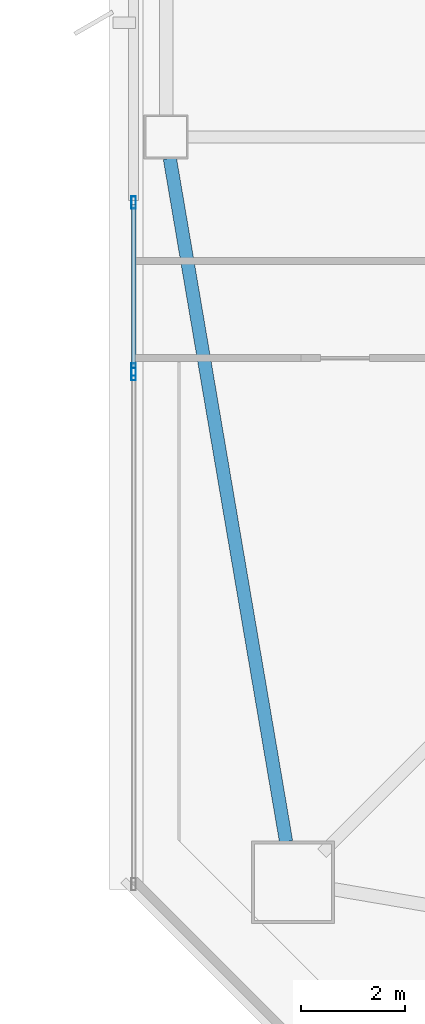
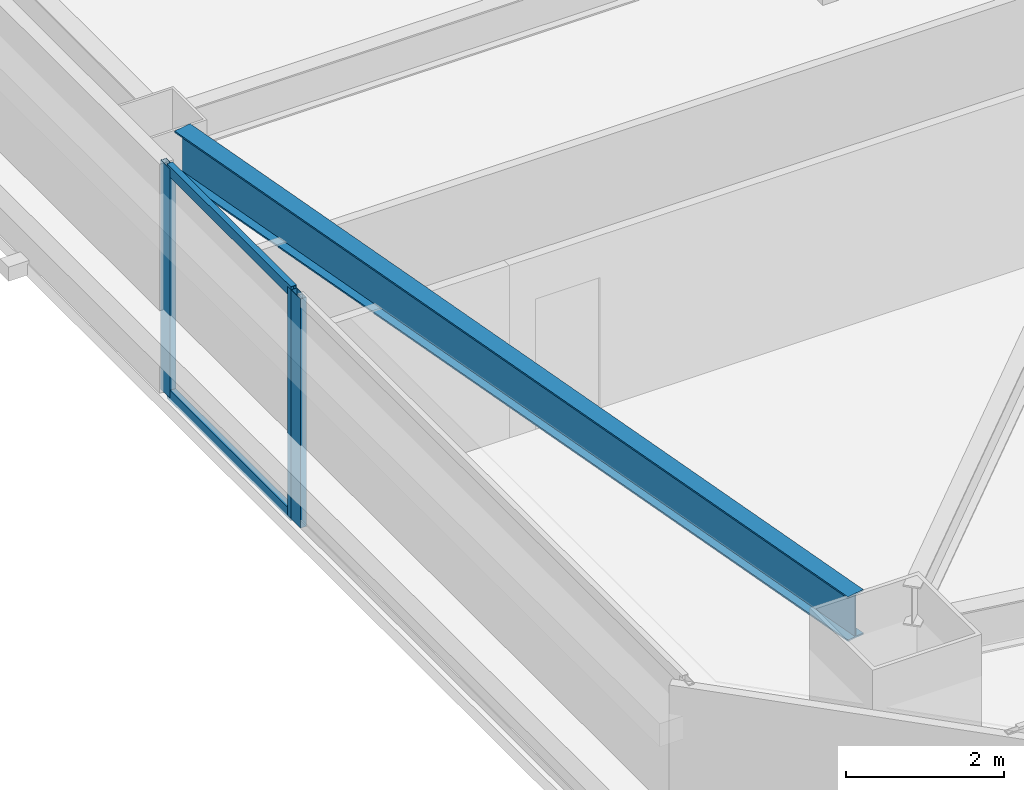
# One storey, part 5 of 62: 5 members, 1 beam, 2 elements without a shape of their own.
"""IFC4 building model written with IfcOpenShell, lengths in metres."""

from ifc_helpers import new_model, si_unit, direction, frame, origin, origin_2d, place, context, subcontext, project, spatial, hollow_rectangle, i_section, extrude, material, material_profile, profile_set, type_object, element, aggregate, save


model = new_model("IFC4")

# Units and contexts
model_context = context("Model", 3, precision=1e-05, world=origin(), true_north=direction((0.0, 1.0)))
body_context = subcontext(model_context, "Body", "Model", "MODEL_VIEW")
ifc_project = project(units=[si_unit("LENGTHUNIT", "METRE"), si_unit("AREAUNIT", "SQUARE_METRE"), si_unit("VOLUMEUNIT", "CUBIC_METRE"), si_unit("PLANEANGLEUNIT", "RADIAN"), si_unit("MASSUNIT", "GRAM", prefix="KILO")], contexts=[model_context])

# Site, building, storey
site_placement = place(None, origin())
site = spatial("IfcSite", under=ifc_project, at=site_placement, CompositionType="ELEMENT")
building_placement = place(site_placement, origin())
building = spatial("IfcBuilding", under=site, at=building_placement, Name="Tashvorn Skyway Center", CompositionType="ELEMENT")
storey_placement = place(building_placement, frame((0.0, 0.0, 28.14990234375)))
storey = spatial("IfcBuildingStorey", under=building, at=storey_placement, Name="L06", CompositionType="ELEMENT", Elevation=28.14990234375)

# Beam
ifc_material_1 = material(Name="Steel ASTM A992 Grade 50", Category="steel")
ifc_material_profile_1 = material_profile(ifc_material_1, i_section(OverallWidth=0.256103515625, OverallDepth=0.693115234375, WebThickness=0.014404296875, FlangeThickness=0.023681640625, at=origin_2d()), Name="W27X114")
ifc_profile_set_1 = profile_set([ifc_material_profile_1], Name="Steel ASTM A992 Grade 50")
beam_type = type_object("IfcBeamType", Name="BM-SPANDREL-W27X114", PredefinedType="SPANDREL", material=ifc_profile_set_1)
beam_placement = place(storey_placement, frame((19.820556640625, 26.18603515625, 3.003662109375), z_axis=(0.16771792509, -0.985835025551, 0.0), x_axis=(0.985835025551, 0.16771792509, 0.0)))
element("IfcBeam", 1, at=beam_placement, inside=storey, type_object=beam_type, Name="Tower 1 L06 Spandrel Beam 12", PredefinedType="SPANDREL", context=body_context, shape_type="SweptSolid", body=[
    extrude(i_section(OverallWidth=0.256103515625, OverallDepth=0.693115234375, WebThickness=0.014404296875, FlangeThickness=0.023681640625, at=origin_2d()), origin(), (0.0, 0.0, 1.0), 13.39208984375),
])

# Curtain wall, member
ifc_material_2 = material(Name="Thermally broken bronze-anodized aluminium 6063-T6", Category="aluminium")
curtain_wall_type = type_object("IfcCurtainWallType", Name="CW-CW-Z1", PredefinedType="NOTDEFINED", material=ifc_material_2)
curtain_wall_1_placement = place(storey_placement, origin())
curtain_wall_1 = element("IfcCurtainWall", 2, at=curtain_wall_1_placement, inside=storey, type_object=curtain_wall_type, Name="Tower 1 L06 West Unitised Curtain Wall Glazing Group 1", PredefinedType="NOTDEFINED")
ifc_material_profile_2 = material_profile(ifc_material_2, hollow_rectangle(XDim=0.0849609375, YDim=0.239990234375, WallThickness=0.0048828125, at=origin_2d()), Name="ALU-MULL-85x240")
ifc_profile_set_2 = profile_set([ifc_material_profile_2], Name="Thermally broken bronze-anodized aluminium 6063-T6")
member_type_1 = type_object("IfcMemberType", Name="CWM-CW-Z1", PredefinedType="MULLION", material=ifc_profile_set_2)
member_1_placement = place(storey_placement, frame((19.1201171875, 22.017578125, 0.0), z_axis=(0.0, 0.0, 1.0), x_axis=(-1.0, 0.0, 0.0)))
member_1 = element("IfcMember", 3, at=member_1_placement, type_object=member_type_1, Name="CW-Z1 mullion 2", PredefinedType="MULLION", context=body_context, shape_type="SweptSolid", body=[
    extrude(hollow_rectangle(XDim=0.0849609375, YDim=0.239990234375, WallThickness=0.0048828125, at=origin_2d()), origin(), (0.0, 0.0, 1.0), 3.550048828125),
])
aggregate(curtain_wall_1, [member_1])

# Curtain wall, members
curtain_wall_2_placement = place(storey_placement, origin())
curtain_wall_2 = element("IfcCurtainWall", 4, at=curtain_wall_2_placement, inside=storey, type_object=curtain_wall_type, Name="Tower 1 L06 West Unitised Curtain Wall Glazing Group 2", PredefinedType="NOTDEFINED")
member_2_placement = place(storey_placement, frame((19.1201171875, 22.1025390625, 0.0), z_axis=(0.0, 0.0, 1.0), x_axis=(-1.0, 0.0, 0.0)))
member_2 = element("IfcMember", 5, at=member_2_placement, type_object=member_type_1, Name="CW-Z1 mullion 1", PredefinedType="MULLION", context=body_context, shape_type="SweptSolid", body=[
    extrude(hollow_rectangle(XDim=0.0849609375, YDim=0.239990234375, WallThickness=0.0048828125, at=origin_2d()), origin(), (0.0, 0.0, 1.0), 3.550048828125),
])
member_3_placement = place(storey_placement, frame((19.1201171875, 25.330810546875, 0.0), z_axis=(0.0, 0.0, 1.0), x_axis=(-1.0, 0.0, 0.0)))
member_3 = element("IfcMember", 6, at=member_3_placement, type_object=member_type_1, Name="CW-Z1 mullion 2", PredefinedType="MULLION", context=body_context, shape_type="SweptSolid", body=[
    extrude(hollow_rectangle(XDim=0.0849609375, YDim=0.239990234375, WallThickness=0.0048828125, at=origin_2d()), origin(), (0.0, 0.0, 1.0), 3.550048828125),
])
ifc_material_profile_3 = material_profile(ifc_material_2, hollow_rectangle(XDim=0.0849609375, YDim=0.1650390625, WallThickness=0.0048828125, at=origin_2d()), Name="ALU-TRAN-85x165")
ifc_profile_set_3 = profile_set([ifc_material_profile_3], Name="Thermally broken bronze-anodized aluminium 6063-T6")
member_type_2 = type_object("IfcMemberType", Name="CWT-CW-Z1", PredefinedType="USERDEFINED", material=ifc_profile_set_3)
member_4_placement = place(storey_placement, frame((19.1201171875, 22.14501953125, 0.04248046875), z_axis=(0.0, 1.0, 0.0), x_axis=(-1.0, 0.0, 0.0)))
member_4 = element("IfcMember", 7, at=member_4_placement, type_object=member_type_2, Name="CW-Z1 transom 1.1", ObjectType="TRANSOM", PredefinedType="USERDEFINED", context=body_context, shape_type="SweptSolid", body=[
    extrude(hollow_rectangle(XDim=0.0849609375, YDim=0.1650390625, WallThickness=0.0048828125, at=origin_2d()), origin(), (0.0, 0.0, 1.0), 3.143310546875),
])
member_5_placement = place(storey_placement, frame((19.1201171875, 22.14501953125, 3.507568359375), z_axis=(0.0, 1.0, 0.0), x_axis=(-1.0, 0.0, 0.0)))
member_5 = element("IfcMember", 8, at=member_5_placement, type_object=member_type_2, Name="CW-Z1 transom 1.2", ObjectType="TRANSOM", PredefinedType="USERDEFINED", context=body_context, shape_type="SweptSolid", body=[
    extrude(hollow_rectangle(XDim=0.0849609375, YDim=0.1650390625, WallThickness=0.0048828125, at=origin_2d()), origin(), (0.0, 0.0, 1.0), 3.143310546875),
])
aggregate(curtain_wall_2, [member_2, member_3, member_4, member_5])

save(model, "model.ifc")
